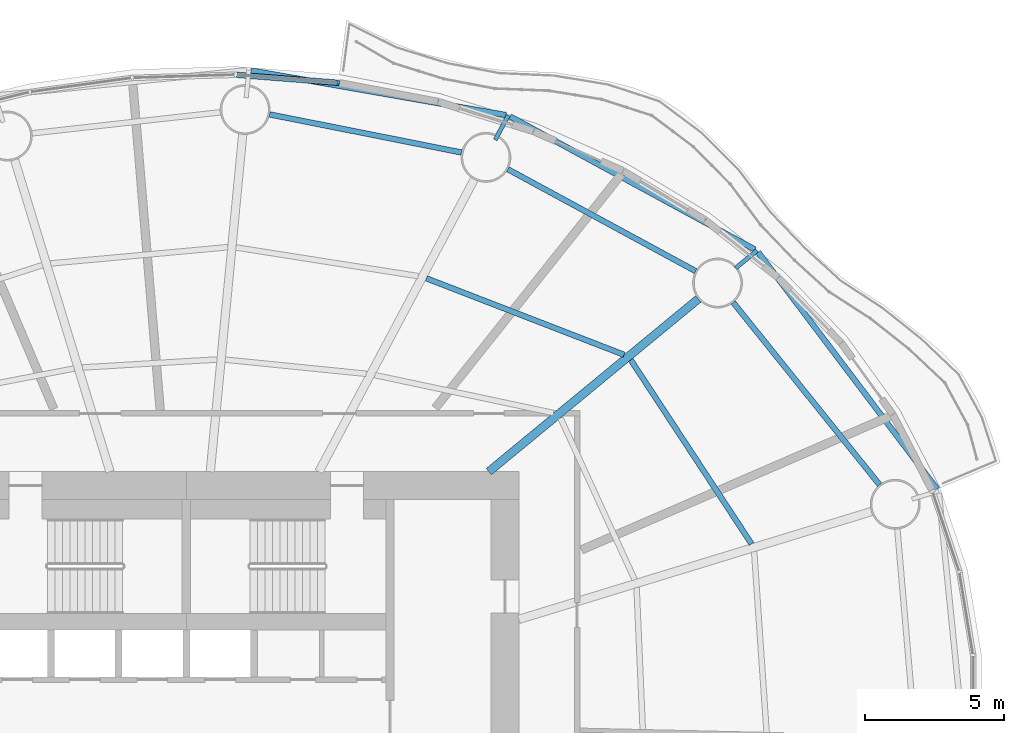
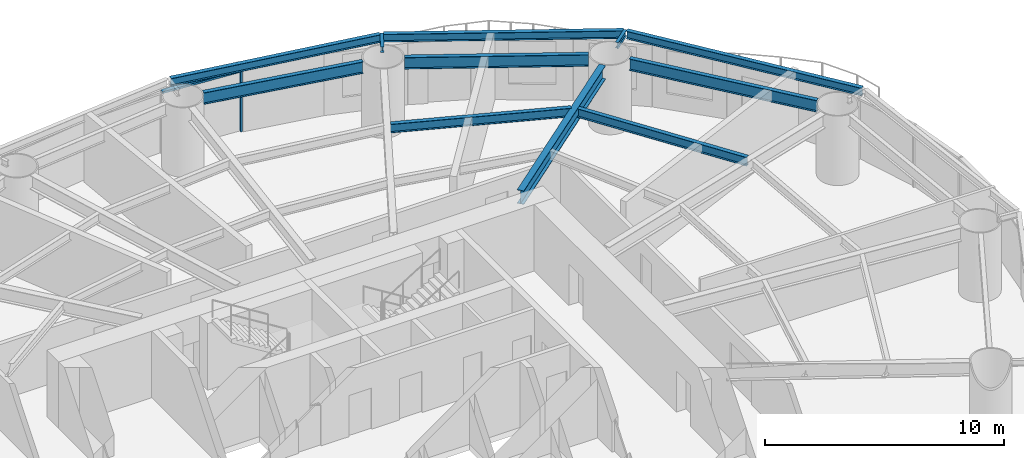
# One storey, part 6 of 17: 11 beams, 2 members, 1 element without a shape of its own.
"""IFC4 building model written with IfcOpenShell, lengths in metres."""

from ifc_helpers import new_model, si_unit, direction, frame, origin, origin_2d, place, context, subcontext, project, spatial, rectangle, i_section, extrude, material, material_profile, profile_set, type_object, element, aggregate, save


model = new_model("IFC4")

# Units and contexts
model_context = context("Model", 3, precision=1e-05, world=origin(), true_north=direction((0.0, 1.0)))
body_context = subcontext(model_context, "Body", "Model", "MODEL_VIEW")
ifc_project = project(units=[si_unit("LENGTHUNIT", "METRE"), si_unit("AREAUNIT", "SQUARE_METRE"), si_unit("VOLUMEUNIT", "CUBIC_METRE"), si_unit("PLANEANGLEUNIT", "RADIAN"), si_unit("MASSUNIT", "GRAM", prefix="KILO")], contexts=[model_context])

# Site, building, storey
site_placement = place(None, origin())
site = spatial("IfcSite", under=ifc_project, at=site_placement, CompositionType="ELEMENT")
building_placement = place(site_placement, origin())
building = spatial("IfcBuilding", under=site, at=building_placement, Name="Vermilion Reach Broadcast Tower", CompositionType="ELEMENT")
storey_placement = place(building_placement, frame((0.0, 0.0, 54.5)))
storey = spatial("IfcBuildingStorey", under=building, at=storey_placement, Name="L10", CompositionType="ELEMENT", Elevation=54.5)

# Beams
ifc_material_1 = material(Name="Steel S355J2", Category="steel")
ifc_material_profile_1 = material_profile(ifc_material_1, i_section(OverallWidth=0.199951171875, OverallDepth=0.39990234375, WebThickness=0.008056640625, FlangeThickness=0.012939453125, at=origin_2d()), Name="S355J2 HN 400x200x8x13")
ifc_profile_set_1 = profile_set([ifc_material_profile_1], Name="Steel S355J2")
beam_type_1 = type_object("IfcBeamType", Name="EB1 HN 400x200x8x13", PredefinedType="BEAM", material=ifc_profile_set_1)
beam_1_placement = place(storey_placement, frame((21.08935546875, 8.36572265625, 3.35009765625), z_axis=(-0.602727038791, 0.797947439817, 0.0), x_axis=(-0.797947439817, -0.602727038791, 0.0)))
element("IfcBeam", 1, at=beam_1_placement, inside=storey, type_object=beam_type_1, Name="Edge beam EB1-01", PredefinedType="BEAM", context=body_context, shape_type="SweptSolid", body=[
    extrude(i_section(OverallWidth=0.199951171875, OverallDepth=0.39990234375, WebThickness=0.008056640625, FlangeThickness=0.012939453125, at=origin_2d()), origin(), (0.0, 0.0, 1.0), 10.715087890625),
])
beam_2_placement = place(storey_placement, frame((14.5146484375, 17.014404296875, 3.35009765625), z_axis=(-0.878664589096, 0.477439566719, 0.0), x_axis=(-0.477439566719, -0.878664589096, 0.0)))
element("IfcBeam", 2, at=beam_2_placement, inside=storey, type_object=beam_type_1, Name="Edge beam EB1-02", PredefinedType="BEAM", context=body_context, shape_type="SweptSolid", body=[
    extrude(i_section(OverallWidth=0.199951171875, OverallDepth=0.39990234375, WebThickness=0.008056640625, FlangeThickness=0.012939453125, at=origin_2d()), origin(), (0.0, 0.0, 1.0), 10.05517578125),
])
beam_3_placement = place(storey_placement, frame((5.535888671875, 21.864501953125, 3.35009765625), z_axis=(-0.985051200798, 0.172261811805, 0.0), x_axis=(-0.172261811805, -0.985051200798, 0.0)))
element("IfcBeam", 3, at=beam_3_placement, inside=storey, type_object=beam_type_1, Name="Edge beam EB1-03", PredefinedType="BEAM", context=body_context, shape_type="SweptSolid", body=[
    extrude(i_section(OverallWidth=0.199951171875, OverallDepth=0.39990234375, WebThickness=0.008056640625, FlangeThickness=0.012939453125, at=origin_2d()), origin(), (0.0, 0.0, 1.0), 9.343994140625),
])
ifc_material_2 = material(Name="Steel S355J2", Category="steel")
ifc_material_profile_2 = material_profile(ifc_material_2, i_section(OverallWidth=0.300048828125, OverallDepth=0.699951171875, WebThickness=0.012939453125, FlangeThickness=0.02392578125, at=origin_2d()), Name="S355J2 HN 700x300x13x24")
ifc_profile_set_2 = profile_set([ifc_material_profile_2], Name="Steel S355J2")
beam_type_2 = type_object("IfcBeamType", Name="G1 HN 700x300x13x24", PredefinedType="BEAM", material=ifc_profile_set_2)
beam_4_placement = place(storey_placement, frame((4.9140625, 9.0, 3.199951171875), z_axis=(0.771514256373, 0.636212034005, 0.0), x_axis=(-0.636212034005, 0.771514256373, 0.0)))
element("IfcBeam", 4, at=beam_4_placement, inside=storey, type_object=beam_type_2, Name="Girder G1-02", PredefinedType="BEAM", context=body_context, shape_type="SweptSolid", body=[
    extrude(i_section(OverallWidth=0.300048828125, OverallDepth=0.699951171875, WebThickness=0.012939453125, FlangeThickness=0.02392578125, at=origin_2d()), origin(), (0.0, 0.0, 1.0), 9.796142578125),
])
ifc_material_3 = material(Name="Steel S355J2", Category="steel")
ifc_material_profile_3 = material_profile(ifc_material_3, i_section(OverallWidth=0.14990234375, OverallDepth=0.300048828125, WebThickness=0.006591796875, FlangeThickness=0.009033203125, at=origin_2d()), Name="S355J2 HN 300x150x6.5x9")
ifc_profile_set_3 = profile_set([ifc_material_profile_3], Name="Steel S355J2")
beam_type_3 = type_object("IfcBeamType", Name="GS1 HN 300x150x6.5x9", PredefinedType="BEAM", material=ifc_profile_set_3)
beam_5_placement = place(storey_placement, frame((13.814208984375, 16.33935546875, 3.39990234375), z_axis=(0.77159191305, 0.636117850493, 0.0), x_axis=(-0.636117850493, 0.77159191305, 0.0)))
element("IfcBeam", 5, at=beam_5_placement, inside=storey, type_object=beam_type_3, Name="Cantilever stub GS1-02", PredefinedType="BEAM", context=body_context, shape_type="SweptSolid", body=[
    extrude(i_section(OverallWidth=0.14990234375, OverallDepth=0.300048828125, WebThickness=0.006591796875, FlangeThickness=0.009033203125, at=origin_2d()), origin(), (0.0, 0.0, 1.0), 1.000244140625),
])
beam_6_placement = place(storey_placement, frame((5.144287109375, 20.968017578125, 3.39990234375), z_axis=(0.469244476458, 0.883068299348, 0.0), x_axis=(-0.883068299348, 0.469244476458, 0.0)))
element("IfcBeam", 6, at=beam_6_placement, inside=storey, type_object=beam_type_3, Name="Cantilever stub GS1-03", PredefinedType="BEAM", context=body_context, shape_type="SweptSolid", body=[
    extrude(i_section(OverallWidth=0.14990234375, OverallDepth=0.300048828125, WebThickness=0.006591796875, FlangeThickness=0.009033203125, at=origin_2d()), origin(), (0.0, 0.0, 1.0), 1.0),
])
ifc_material_4 = material(Name="Steel S355J2", Category="steel")
ifc_material_profile_4 = material_profile(ifc_material_4, i_section(OverallWidth=0.199951171875, OverallDepth=0.60009765625, WebThickness=0.010986328125, FlangeThickness=0.01708984375, at=origin_2d()), Name="S355J2 HN 600x200x11x17")
ifc_profile_set_4 = profile_set([ifc_material_profile_4], Name="Steel S355J2")
beam_type_4 = type_object("IfcBeamType", Name="RB1 HN 600x200x11x17", PredefinedType="BEAM", material=ifc_profile_set_4)
beam_7_placement = place(storey_placement, frame((19.011962890625, 8.52587890625, 3.25), z_axis=(-0.626162157191, 0.779692858055, 0.0), x_axis=(-0.779692858055, -0.626162157191, 0.0)))
element("IfcBeam", 7, at=beam_7_placement, inside=storey, type_object=beam_type_4, Name="Ring beam RB1-01", PredefinedType="BEAM", context=body_context, shape_type="SweptSolid", body=[
    extrude(i_section(OverallWidth=0.199951171875, OverallDepth=0.60009765625, WebThickness=0.010986328125, FlangeThickness=0.01708984375, at=origin_2d()), origin(), (0.0, 0.0, 1.0), 8.435791015625),
])
beam_8_placement = place(storey_placement, frame((12.375244140625, 16.234130859375, 3.25), z_axis=(-0.878962319551, 0.476891225344, 0.0), x_axis=(-0.476891225344, -0.878962319551, 0.0)))
element("IfcBeam", 8, at=beam_8_placement, inside=storey, type_object=beam_type_4, Name="Ring beam RB1-02", PredefinedType="BEAM", context=body_context, shape_type="SweptSolid", body=[
    extrude(i_section(OverallWidth=0.199951171875, OverallDepth=0.60009765625, WebThickness=0.010986328125, FlangeThickness=0.01708984375, at=origin_2d()), origin(), (0.0, 0.0, 1.0), 7.707275390625),
])
beam_9_placement = place(storey_placement, frame((3.927001953125, 20.51416015625, 3.25), z_axis=(-0.980857717995, 0.194725799651, 0.0), x_axis=(-0.194725799651, -0.980857717995, 0.0)))
element("IfcBeam", 9, at=beam_9_placement, inside=storey, type_object=beam_type_4, Name="Ring beam RB1-03", PredefinedType="BEAM", context=body_context, shape_type="SweptSolid", body=[
    extrude(i_section(OverallWidth=0.199951171875, OverallDepth=0.60009765625, WebThickness=0.010986328125, FlangeThickness=0.01708984375, at=origin_2d()), origin(), (0.0, 0.0, 1.0), 7.05859375),
])
ifc_material_5 = material(Name="Steel S355J2", Category="steel")
ifc_material_profile_5 = material_profile(ifc_material_5, i_section(OverallWidth=0.199951171875, OverallDepth=0.449951171875, WebThickness=0.009033203125, FlangeThickness=0.013916015625, at=origin_2d()), Name="S355J2 HN 450x200x9x14")
ifc_profile_set_5 = profile_set([ifc_material_profile_5], Name="Steel S355J2")
beam_type_5 = type_object("IfcBeamType", Name="SB1 HN 450x200x9x14", PredefinedType="BEAM", material=ifc_profile_set_5)
beam_10_placement = place(storey_placement, frame((14.390625, 6.394775390625, 3.324951171875), z_axis=(-0.548800909102, 0.835953086105, 0.0), x_axis=(-0.835953086105, -0.548800909102, 0.0)))
element("IfcBeam", 10, at=beam_10_placement, inside=storey, type_object=beam_type_5, Name="Secondary beam SB1-01-2", PredefinedType="BEAM", context=body_context, shape_type="SweptSolid", body=[
    extrude(i_section(OverallWidth=0.199951171875, OverallDepth=0.449951171875, WebThickness=0.009033203125, FlangeThickness=0.013916015625, at=origin_2d()), origin(), (0.0, 0.0, 1.0), 7.935791015625),
])
beam_11_placement = place(storey_placement, frame((9.7919921875, 13.217041015625, 3.324951171875), z_axis=(-0.932680743753, 0.360702966765, 0.0), x_axis=(-0.360702966765, -0.932680743753, 0.0)))
element("IfcBeam", 11, at=beam_11_placement, inside=storey, type_object=beam_type_5, Name="Secondary beam SB1-02-2", PredefinedType="BEAM", context=body_context, shape_type="SweptSolid", body=[
    extrude(i_section(OverallWidth=0.199951171875, OverallDepth=0.449951171875, WebThickness=0.009033203125, FlangeThickness=0.013916015625, at=origin_2d()), origin(), (0.0, 0.0, 1.0), 7.646240234375),
])

# Curtain wall, members
ifc_material_6 = material(Name="Low-e laminated clear glass in aluminium frame", Category="aluminium")
curtain_wall_type = type_object("IfcCurtainWallType", Name="Slot curtain wall", PredefinedType="NOTDEFINED", material=ifc_material_6)
curtain_wall_placement = place(storey_placement, origin())
curtain_wall = element("IfcCurtainWall", 12, at=curtain_wall_placement, inside=storey, type_object=curtain_wall_type, Name="Slot curtain wall L10 10", PredefinedType="NOTDEFINED")
ifc_material_7 = material(Name="Anodised aluminium", Category="aluminium")
ifc_material_profile_6 = material_profile(ifc_material_7, rectangle(XDim=0.199951171875, YDim=0.080078125, at=origin_2d()), Name="Slot mullion 80 x 200")
ifc_profile_set_6 = profile_set([ifc_material_profile_6], Name="Anodised aluminium")
member_type_1 = type_object("IfcMemberType", Name="Slot mullion 80 x 200", PredefinedType="MULLION", material=ifc_profile_set_6)
member_1_placement = place(storey_placement, frame((-0.52197265625, 23.030517578125, 0.0), z_axis=(0.0, 0.0, 1.0), x_axis=(-0.132273716698, -0.991213228257, 0.0)))
member_1 = element("IfcMember", 13, at=member_1_placement, type_object=member_type_1, Name="Slot mullion L10 10", PredefinedType="MULLION", context=body_context, shape_type="SweptSolid", body=[
    extrude(rectangle(XDim=0.199951171875, YDim=0.080078125, at=origin_2d()), origin(), (0.0, 0.0, 1.0), 3.14990234375),
])
ifc_material_8 = material(Name="Anodised aluminium", Category="aluminium")
ifc_material_profile_7 = material_profile(ifc_material_8, rectangle(XDim=0.199951171875, YDim=0.10009765625, at=origin_2d()), Name="Slot transom 200 x 100")
ifc_profile_set_7 = profile_set([ifc_material_profile_7], Name="Anodised aluminium")
member_type_2 = type_object("IfcMemberType", Name="Slot transom 200 x 100", PredefinedType="USERDEFINED", material=ifc_profile_set_7)
member_2_placement = place(storey_placement, frame((-0.56201171875, 23.03369140625, 3.10009765625), z_axis=(-0.996976815472, 0.077699610113, 0.0), x_axis=(-0.077699610113, -0.996976815472, 0.0)))
member_2 = element("IfcMember", 14, at=member_2_placement, type_object=member_type_2, Name="Slot transom L10 10.1", ObjectType="TRANSOM", PredefinedType="USERDEFINED", context=body_context, shape_type="SweptSolid", body=[
    extrude(rectangle(XDim=0.199951171875, YDim=0.10009765625, at=origin_2d()), origin(), (0.0, 0.0, 1.0), 3.629150390625),
])
aggregate(curtain_wall, [member_1, member_2])

save(model, "model.ifc")
